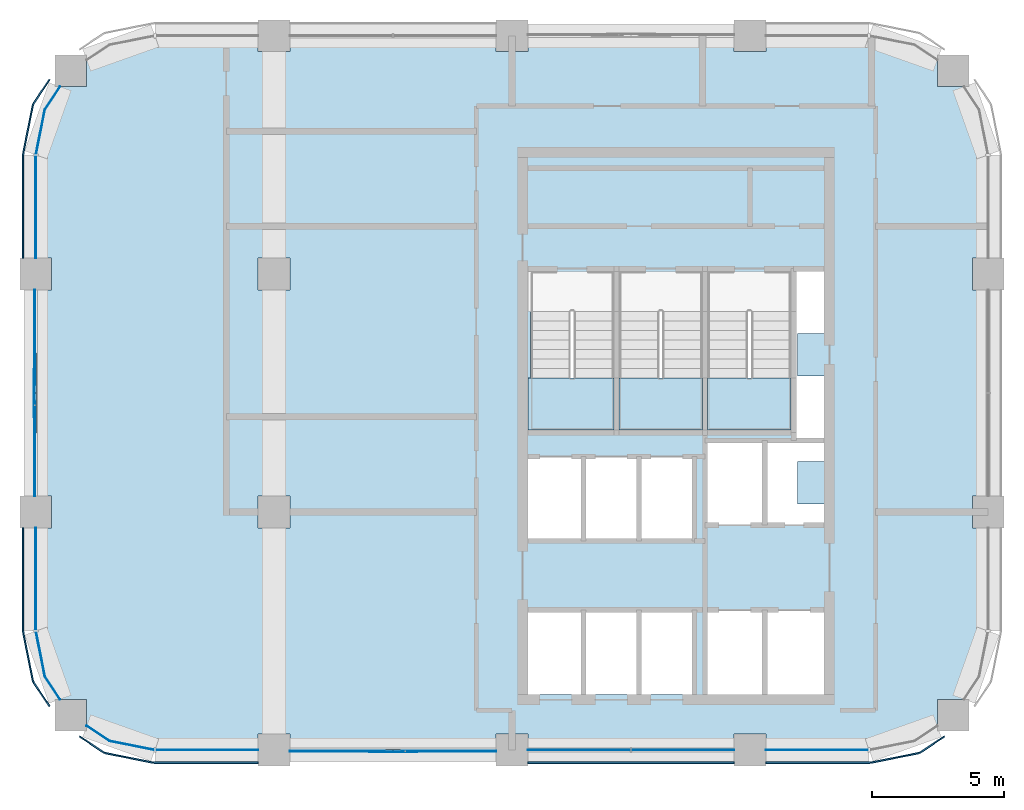
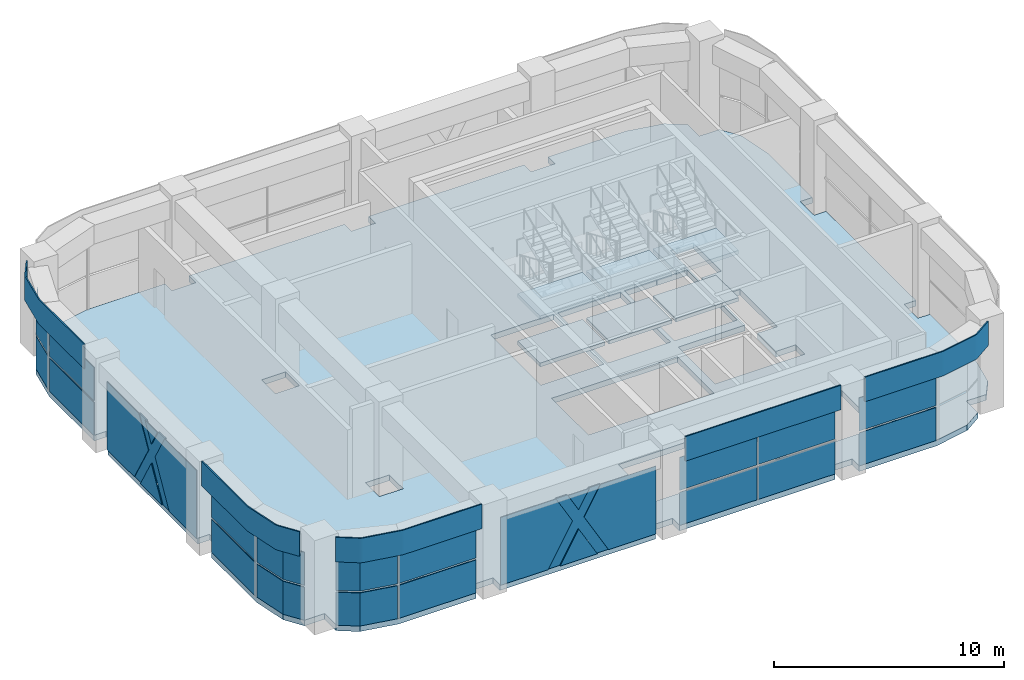
# One storey, part 6 of 15: 33 plates, 7 slabs, 10 elements without a shape of their own.
"""IFC4 building model written with IfcOpenShell, lengths in metres."""

import ifcopenshell
import ifcopenshell.guid

model = None  # the IFC model being written
_history = None  # IfcOwnerHistory: only IFC2X3 demands one
_inside = {}  # id of a spatial element -> (the spatial element, [elements in it])
_under = {}  # id of a project, library or spatial element -> (it, [spatial elements below it])
_declared = {}  # id of a project -> (the project, [libraries it declares])
_typed = {}  # id of a type object -> (the type object, [elements of that type])
_made_of = {}  # id of a material, layer set ... -> (it, [elements and type objects made of it])


def new_model(schema):
    """Start an empty IFC model of exactly this schema.

    Asked for "IFC4X3", IfcOpenShell would pick the latest addendum, in which some entities
    have other attributes; the version numbers below select the first issue.
    IFC2X3 requires an IfcOwnerHistory on every rooted entity: one is made here for all.
    """
    global model, _history
    if schema == "IFC4X3":
        model = ifcopenshell.file(schema_version=(4, 3, 0, 0))
    else:
        model = ifcopenshell.file(schema=schema)
    _inside.clear()
    _under.clear()
    _declared.clear()
    _typed.clear()
    _made_of.clear()
    _history = None
    if model.schema == "IFC2X3":
        org = make("IfcOrganization", Name="unknown")
        user = make(
            "IfcPersonAndOrganization",
            ThePerson=make("IfcPerson", FamilyName="unknown"),
            TheOrganization=org,
        )
        app = make(
            "IfcApplication",
            ApplicationDeveloper=org,
            Version="unknown",
            ApplicationFullName="unknown",
            ApplicationIdentifier="unknown",
        )
        _history = make(
            "IfcOwnerHistory",
            OwningUser=user,
            OwningApplication=app,
            ChangeAction="ADDED",
            CreationDate=0,
        )
    return model


def make(cls, **values):
    """One entity of the class cls with the attributes given. An attribute that is None is left unset."""
    return model.create_entity(
        cls, **{name: value for name, value in values.items() if value is not None}
    )


def rooted(cls, **values):
    """An entity with a GlobalId (a new one), such as an element, a storey or a relation."""
    return make(cls, GlobalId=ifcopenshell.guid.new(), OwnerHistory=_history, **values)


def si_unit(unit_type, name, prefix=None):
    """IfcSIUnit, for example si_unit("LENGTHUNIT", "METRE", prefix="MILLI")."""
    return make("IfcSIUnit", UnitType=unit_type, Prefix=prefix, Name=name)


def assignment(units):
    """IfcUnitAssignment: the units of a project."""
    return None if units is None else make("IfcUnitAssignment", Units=units)


def point(xyz):
    """IfcCartesianPoint."""
    return None if xyz is None else make("IfcCartesianPoint", Coordinates=xyz)


def direction(xyz):
    """IfcDirection."""
    return None if xyz is None else make("IfcDirection", DirectionRatios=xyz)


def frame(location, z_axis=None, x_axis=None):
    """IfcAxis2Placement3D, a coordinate frame: its origin and axes. An axis left out is left unset."""
    return make(
        "IfcAxis2Placement3D",
        Location=point(location),
        Axis=direction(z_axis),
        RefDirection=direction(x_axis),
    )


def frame_2d(location, x_axis=None):
    """IfcAxis2Placement2D, a coordinate frame in the plane: its origin and x axis."""
    return make(
        "IfcAxis2Placement2D", Location=point(location), RefDirection=direction(x_axis)
    )


def origin():
    """The frame at (0, 0, 0) with its axes left unset."""
    return frame((0.0, 0.0, 0.0))


def origin_2d():
    """The frame at (0, 0) in the plane with its x axis left unset."""
    return frame_2d((0.0, 0.0))


def place(relative_to, where):
    """IfcLocalPlacement: puts the frame where relative to a parent placement (None: the world)."""
    return make(
        "IfcLocalPlacement", PlacementRelTo=relative_to, RelativePlacement=where
    )


def context(
    kind, dimensions, precision=None, world=None, true_north=None, identifier=None
):
    """IfcGeometricRepresentationContext, for example the 3D "Model" context."""
    return make(
        "IfcGeometricRepresentationContext",
        ContextIdentifier=identifier,
        ContextType=kind,
        CoordinateSpaceDimension=dimensions,
        Precision=precision,
        WorldCoordinateSystem=world,
        TrueNorth=true_north,
    )


def subcontext(parent, identifier, kind, view, scale=None):
    """IfcGeometricRepresentationSubContext, for example "Body" below "Model"."""
    return make(
        "IfcGeometricRepresentationSubContext",
        ContextIdentifier=identifier,
        ContextType=kind,
        ParentContext=parent,
        TargetScale=scale,
        TargetView=view,
    )


def project(units=None, contexts=None):
    """IfcProject with its units and contexts."""
    return rooted(
        "IfcProject",
        Name="project",
        RepresentationContexts=contexts,
        UnitsInContext=assignment(units),
    )


def spatial(cls, under=None, at=None, **own):
    """A site, building, storey or space (cls), placed at a placement, below another one or the project."""
    s = rooted(cls, ObjectPlacement=at, **own)
    if under is not None:
        _under.setdefault(under.id(), (under, []))[1].append(s)
    return s


def polyline(points):
    """IfcPolyline through the points."""
    return make("IfcPolyline", Points=[point(p) for p in points])


def profile(cls, at=None, kind="AREA", **sizes):
    """A parametric profile (cls). Its sizes go by their IFC names, for example OverallWidth=200.0."""
    return make(cls, ProfileType=kind, Position=at, **sizes)


def rectangle(**sizes):
    """IfcRectangleProfileDef."""
    return profile("IfcRectangleProfileDef", **sizes)


def outline(outer, holes=None, kind="AREA"):
    """IfcArbitraryClosedProfileDef: a profile drawn as a closed curve; with holes, ...WithVoids."""
    if holes is None:
        return make("IfcArbitraryClosedProfileDef", ProfileType=kind, OuterCurve=outer)
    return make(
        "IfcArbitraryProfileDefWithVoids",
        ProfileType=kind,
        OuterCurve=outer,
        InnerCurves=holes,
    )


def extrude(swept, where, along, depth):
    """IfcExtrudedAreaSolid: the profile swept, set in the frame where, extruded along a direction by depth."""
    return make(
        "IfcExtrudedAreaSolid",
        SweptArea=swept,
        Position=where,
        ExtrudedDirection=direction(along),
        Depth=depth,
    )


def shape(context_of_items, identifier, shape_type, items):
    """IfcShapeRepresentation: the items that make up one representation, for example the "Body"."""
    return make(
        "IfcShapeRepresentation",
        ContextOfItems=context_of_items,
        RepresentationIdentifier=identifier,
        RepresentationType=shape_type,
        Items=items,
    )


def material(Name=None, Category=None):
    """IfcMaterial."""
    return make("IfcMaterial", Name=Name, Category=Category)


def layer(
    of_material, thickness, ventilated=None, Name=None, Category=None, Priority=None
):
    """IfcMaterialLayer: one layer of a wall or slab, of a material (None: an air gap)."""
    return make(
        "IfcMaterialLayer",
        Material=of_material,
        LayerThickness=thickness,
        IsVentilated=ventilated,
        Name=Name,
        Category=Category,
        Priority=Priority,
    )


def layer_set(layers, Name=None):
    """IfcMaterialLayerSet."""
    return make("IfcMaterialLayerSet", MaterialLayers=layers, LayerSetName=Name)


def made_of(thing, what):
    """Note that an element or type object is made of a material, layer set ...; save() writes the relation."""
    if what is not None:
        _made_of.setdefault(what.id(), (what, []))[1].append(thing)
    return thing


def type_object(cls, material=None, **own):
    """A type object (cls), such as IfcWallType, which elements share."""
    return made_of(rooted(cls, **own), material)


def element(
    cls,
    number,
    at=None,
    inside=None,
    cuts=None,
    type_object=None,
    material=None,
    context=None,
    identifier="Body",
    shape_type=None,
    held_by="IfcProductDefinitionShape",
    body=None,
    shapes=None,
    **own,
):
    """One element of the class cls, such as IfcWall. Its Tag is "e" and its number.

    at: its placement. inside: the storey or other place that contains it. cuts: it is an
    opening in that element (IfcRelVoidsElement). A single representation is given by context,
    identifier, shape_type and body (its items); several are given by shapes. held_by: the class
    of the entity that holds the representations. save() writes the other relations.
    """
    e = rooted(cls, Tag="e%d" % number, ObjectPlacement=at, **own)
    if body is not None:
        shapes = [shape(context, identifier, shape_type, body)]
    if shapes is not None:
        e.Representation = make(held_by, Representations=shapes)
    if inside is not None:
        _inside.setdefault(inside.id(), (inside, []))[1].append(e)
    if cuts is not None:
        rooted(
            "IfcRelVoidsElement", RelatingBuildingElement=cuts, RelatedOpeningElement=e
        )
    if type_object is not None:
        _typed.setdefault(type_object.id(), (type_object, []))[1].append(e)
    return made_of(e, material)


def aggregate(whole, parts):
    """IfcRelAggregates: a whole, such as a stair, and the parts it consists of."""
    return rooted("IfcRelAggregates", RelatingObject=whole, RelatedObjects=parts)


def save(model, path):
    """Write the relations noted so far, then the file.

    IfcRelAggregates (storeys below a building ...), IfcRelContainedInSpatialStructure (elements
    in a storey), IfcRelDefinesByType, IfcRelAssociatesMaterial and IfcRelDeclares: one each for
    every whole, place, type object, material and project.
    """
    for whole, parts in _under.values():
        aggregate(whole, parts)
    for where, things in _inside.values():
        rooted(
            "IfcRelContainedInSpatialStructure",
            RelatedElements=things,
            RelatingStructure=where,
        )
    for kind, things in _typed.values():
        rooted("IfcRelDefinesByType", RelatedObjects=things, RelatingType=kind)
    for what, things in _made_of.values():
        rooted("IfcRelAssociatesMaterial", RelatedObjects=things, RelatingMaterial=what)
    for by, libraries in _declared.values():
        rooted("IfcRelDeclares", RelatingContext=by, RelatedDefinitions=libraries)
    model.write(path)


model = new_model("IFC4")

# Units and contexts
model_context = context("Model", 3, precision=1e-05, world=origin(), true_north=direction((0.0, 1.0)))
body_context = subcontext(model_context, "Body", "Model", "MODEL_VIEW")
ifc_project = project(units=[si_unit("LENGTHUNIT", "METRE"), si_unit("AREAUNIT", "SQUARE_METRE"), si_unit("VOLUMEUNIT", "CUBIC_METRE"), si_unit("PLANEANGLEUNIT", "RADIAN"), si_unit("MASSUNIT", "GRAM", prefix="KILO")], contexts=[model_context])

# Site, building, storey
site_placement = place(None, origin())
site = spatial("IfcSite", under=ifc_project, at=site_placement, CompositionType="ELEMENT")
building_placement = place(site_placement, origin())
building = spatial("IfcBuilding", under=site, at=building_placement, Name="Tessera Arch", CompositionType="ELEMENT")
storey_placement = place(building_placement, frame((0.0, 0.0, 285.199951171875)))
storey = spatial("IfcBuildingStorey", under=building, at=storey_placement, Name="L69", CompositionType="ELEMENT", Elevation=285.199951171875)

# Curtain wall, plates
ifc_material_1 = material(Name="CW1 curtain wall")
curtain_wall_type_1 = type_object("IfcCurtainWallType", Name="CW1 curtain wall", PredefinedType="NOTDEFINED", material=ifc_material_1)
curtain_wall_1_placement = place(storey_placement, origin())
curtain_wall_1 = element("IfcCurtainWall", 1, at=curtain_wall_1_placement, inside=storey, type_object=curtain_wall_type_1, Name="CW1 curtain wall S27.18/2 L69", PredefinedType="NOTDEFINED")
ifc_material_2 = material(Name="Clear low-e glass", Category="glass")
ifc_material_3 = material(Name="Clear low-e glass", Category="glass")
ifc_layer_1 = layer(ifc_material_3, 0.028076171875)
ifc_layer_set_1 = layer_set([ifc_layer_1], Name="CW1 glass panel")
plate_type_1 = type_object("IfcPlateType", Name="CW1 glass panel", PredefinedType="CURTAIN_PANEL", material=ifc_layer_set_1)
plate_1_placement = place(storey_placement, frame((38.534912109375, 27.0, 0.0), z_axis=(0.0, 0.0, 1.0), x_axis=(1.0, 0.0, 0.0)))
plate_1 = element("IfcPlate", 2, at=plate_1_placement, type_object=plate_type_1, material=ifc_material_2, Name="CW1 glass panel S27.18/2 1.1.1", PredefinedType="CURTAIN_PANEL", context=body_context, shape_type="SweptSolid", body=[
    extrude(rectangle(XDim=3.8701171875, YDim=0.028076171875, at=origin_2d()), origin(), (0.0, 0.0, 1.0), 1.75),
])
plate_2_placement = place(storey_placement, frame((38.534912109375, 27.0, 1.85009765625), z_axis=(0.0, 0.0, 1.0), x_axis=(1.0, 0.0, 0.0)))
plate_2 = element("IfcPlate", 3, at=plate_2_placement, type_object=plate_type_1, material=ifc_material_2, Name="CW1 glass panel S27.18/2 1.1.2", PredefinedType="CURTAIN_PANEL", context=body_context, shape_type="SweptSolid", body=[
    extrude(rectangle(XDim=3.8701171875, YDim=0.028076171875, at=origin_2d()), origin(), (0.0, 0.0, 1.0), 1.75),
])
plate_3_placement = place(storey_placement, frame((42.465087890625, 27.0, 0.0), z_axis=(0.0, 0.0, 1.0), x_axis=(1.0, 0.0, 0.0)))
plate_3 = element("IfcPlate", 4, at=plate_3_placement, type_object=plate_type_1, material=ifc_material_2, Name="CW1 glass panel S27.18/2 1.2.1", PredefinedType="CURTAIN_PANEL", context=body_context, shape_type="SweptSolid", body=[
    extrude(rectangle(XDim=3.8701171875, YDim=0.028076171875, at=origin_2d()), origin(), (0.0, 0.0, 1.0), 1.75),
])
plate_4_placement = place(storey_placement, frame((42.465087890625, 27.0, 1.85009765625), z_axis=(0.0, 0.0, 1.0), x_axis=(1.0, 0.0, 0.0)))
plate_4 = element("IfcPlate", 5, at=plate_4_placement, type_object=plate_type_1, material=ifc_material_2, Name="CW1 glass panel S27.18/2 1.2.2", PredefinedType="CURTAIN_PANEL", context=body_context, shape_type="SweptSolid", body=[
    extrude(rectangle(XDim=3.8701171875, YDim=0.028076171875, at=origin_2d()), origin(), (0.0, 0.0, 1.0), 1.75),
])
ifc_material_4 = material(Name="Pale anodised aluminium panel", Category="aluminium")
ifc_layer_2 = layer(ifc_material_4, 0.06005859375)
ifc_layer_set_2 = layer_set([ifc_layer_2], Name="CW1 spandrel panel")
plate_type_2 = type_object("IfcPlateType", Name="CW1 spandrel panel", PredefinedType="CURTAIN_PANEL", material=ifc_layer_set_2)
plate_5_placement = place(storey_placement, frame((40.5, 26.52001953125, 3.7001953125), z_axis=(0.0, 0.0, 1.0), x_axis=(1.0, 0.0, 0.0)))
plate_5 = element("IfcPlate", 6, at=plate_5_placement, type_object=plate_type_2, Name="CW1 spandrel panel S27.18/2", PredefinedType="CURTAIN_PANEL", context=body_context, shape_type="SweptSolid", body=[
    extrude(rectangle(XDim=7.800048828125, YDim=0.06005859375, at=origin_2d()), origin(), (0.0, 0.0, 1.0), 1.300048828125),
])
aggregate(curtain_wall_1, [plate_1, plate_2, plate_3, plate_4, plate_5])

ifc_material_5 = material(Name="CW2 curtain wall")
curtain_wall_type_2 = type_object("IfcCurtainWallType", Name="CW2 curtain wall", PredefinedType="NOTDEFINED", material=ifc_material_5)
curtain_wall_2_placement = place(storey_placement, origin())
curtain_wall_2 = element("IfcCurtainWall", 7, at=curtain_wall_2_placement, inside=storey, type_object=curtain_wall_type_2, Name="CW2 curtain wall W18.27/0 L69", PredefinedType="NOTDEFINED")
ifc_material_6 = material(Name="Clear low-e glass", Category="glass")
ifc_layer_3 = layer(ifc_material_6, 0.028076171875)
ifc_layer_set_3 = layer_set([ifc_layer_3], Name="CW2 glass panel")
plate_type_3 = type_object("IfcPlateType", Name="CW2 glass panel", PredefinedType="CURTAIN_PANEL", material=ifc_layer_set_3)
plate_6_placement = place(storey_placement, frame((18.0, 47.530029296875, 0.0), z_axis=(0.0, 0.0, 1.0), x_axis=(0.0, -1.0, 0.0)))
plate_6 = element("IfcPlate", 8, at=plate_6_placement, type_object=plate_type_3, material=ifc_material_2, Name="CW2 glass panel W18.27/0 1.1", PredefinedType="CURTAIN_PANEL", context=body_context, shape_type="SweptSolid", body=[
    extrude(rectangle(XDim=3.860107421875, YDim=0.028076171875, at=origin_2d()), origin(), (0.0, 0.0, 1.0), 1.75),
])
plate_7_placement = place(storey_placement, origin())
plate_7 = element("IfcPlate", 9, at=plate_7_placement, type_object=plate_type_3, material=ifc_material_2, Name="CW2 curved glass panel W18.27/0 2.1", PredefinedType="CURTAIN_PANEL", context=body_context, shape_type="SweptSolid", body=[
    extrude(outline(polyline([(18.355712890625, 51.216552734375), (18.9287109375, 52.07421875), (18.905517578125, 52.08984375), (18.329345703125, 51.2275390625), (17.994140625, 49.5419921875), (18.021484375, 49.53662109375), (18.355712890625, 51.216552734375)])), origin(), (0.0, 0.0, 1.0), 1.75),
])
plate_8_placement = place(storey_placement, frame((18.0, 47.530029296875, 1.85009765625), z_axis=(0.0, 0.0, 1.0), x_axis=(0.0, -1.0, 0.0)))
plate_8 = element("IfcPlate", 10, at=plate_8_placement, type_object=plate_type_3, material=ifc_material_2, Name="CW2 glass panel W18.27/0 1.2", PredefinedType="CURTAIN_PANEL", context=body_context, shape_type="SweptSolid", body=[
    extrude(rectangle(XDim=3.860107421875, YDim=0.028076171875, at=origin_2d()), origin(), (0.0, 0.0, 1.0), 1.75),
])
plate_9_placement = place(storey_placement, frame((0.0, 0.0, 1.85009765625)))
plate_9 = element("IfcPlate", 11, at=plate_9_placement, type_object=plate_type_3, material=ifc_material_2, Name="CW2 curved glass panel W18.27/0 2.2", PredefinedType="CURTAIN_PANEL", context=body_context, shape_type="SweptSolid", body=[
    extrude(outline(polyline([(18.355712890625, 51.216552734375), (18.9287109375, 52.07421875), (18.905517578125, 52.08984375), (18.329345703125, 51.2275390625), (17.994140625, 49.5419921875), (18.021484375, 49.53662109375), (18.355712890625, 51.216552734375)])), origin(), (0.0, 0.0, 1.0), 1.75),
])

curtain_wall_3_placement = place(storey_placement, origin())
curtain_wall_3 = element("IfcCurtainWall", 12, at=curtain_wall_3_placement, inside=storey, type_object=curtain_wall_type_2, Name="CW2 curtain wall W18.27/2 L69", PredefinedType="NOTDEFINED")
plate_10_placement = place(storey_placement, frame((18.0, 33.469970703125, 0.0), z_axis=(0.0, 0.0, 1.0), x_axis=(0.0, -1.0, 0.0)))
plate_10 = element("IfcPlate", 13, at=plate_10_placement, type_object=plate_type_3, material=ifc_material_2, Name="CW2 glass panel W18.27/2 1.1", PredefinedType="CURTAIN_PANEL", context=body_context, shape_type="SweptSolid", body=[
    extrude(rectangle(XDim=3.860107421875, YDim=0.028076171875, at=origin_2d()), origin(), (0.0, 0.0, 1.0), 1.75),
])
plate_11_placement = place(storey_placement, origin())
plate_11 = element("IfcPlate", 14, at=plate_11_placement, type_object=plate_type_3, material=ifc_material_2, Name="CW2 curved glass panel W18.27/2 2.1", PredefinedType="CURTAIN_PANEL", context=body_context, shape_type="SweptSolid", body=[
    extrude(outline(polyline([(18.355712890625, 29.783447265625), (18.021484375, 31.46337890625), (17.994140625, 31.4580078125), (18.329345703125, 29.7724609375), (18.905517578125, 28.91015625), (18.9287109375, 28.92578125), (18.355712890625, 29.783447265625)])), origin(), (0.0, 0.0, 1.0), 1.75),
])
plate_12_placement = place(storey_placement, frame((18.0, 33.469970703125, 1.85009765625), z_axis=(0.0, 0.0, 1.0), x_axis=(0.0, -1.0, 0.0)))
plate_12 = element("IfcPlate", 15, at=plate_12_placement, type_object=plate_type_3, material=ifc_material_2, Name="CW2 glass panel W18.27/2 1.2", PredefinedType="CURTAIN_PANEL", context=body_context, shape_type="SweptSolid", body=[
    extrude(rectangle(XDim=3.860107421875, YDim=0.028076171875, at=origin_2d()), origin(), (0.0, 0.0, 1.0), 1.75),
])
plate_13_placement = place(storey_placement, frame((0.0, 0.0, 1.85009765625)))
plate_13 = element("IfcPlate", 16, at=plate_13_placement, type_object=plate_type_3, material=ifc_material_2, Name="CW2 curved glass panel W18.27/2 2.2", PredefinedType="CURTAIN_PANEL", context=body_context, shape_type="SweptSolid", body=[
    extrude(outline(polyline([(18.355712890625, 29.783447265625), (18.021484375, 31.46337890625), (17.994140625, 31.4580078125), (18.329345703125, 29.7724609375), (18.905517578125, 28.91015625), (18.9287109375, 28.92578125), (18.355712890625, 29.783447265625)])), origin(), (0.0, 0.0, 1.0), 1.75),
])

curtain_wall_4_placement = place(storey_placement, origin())
curtain_wall_4 = element("IfcCurtainWall", 17, at=curtain_wall_4_placement, inside=storey, type_object=curtain_wall_type_2, Name="CW2 curtain wall S27.18/0 L69", PredefinedType="NOTDEFINED")
plate_14_placement = place(storey_placement, frame((24.469970703125, 27.0, 0.0), z_axis=(0.0, 0.0, 1.0), x_axis=(1.0, 0.0, 0.0)))
plate_14 = element("IfcPlate", 18, at=plate_14_placement, type_object=plate_type_3, material=ifc_material_2, Name="CW2 glass panel S27.18/0 1.1", PredefinedType="CURTAIN_PANEL", context=body_context, shape_type="SweptSolid", body=[
    extrude(rectangle(XDim=3.860107421875, YDim=0.028076171875, at=origin_2d()), origin(), (0.0, 0.0, 1.0), 1.75),
])
plate_15_placement = place(storey_placement, origin())
plate_15 = element("IfcPlate", 19, at=plate_15_placement, type_object=plate_type_3, material=ifc_material_2, Name="CW2 curved glass panel S27.18/0 2.1", PredefinedType="CURTAIN_PANEL", context=body_context, shape_type="SweptSolid", body=[
    extrude(outline(polyline([(20.783447265625, 27.355712890625), (19.92578125, 27.9287109375), (19.91015625, 27.905517578125), (20.7724609375, 27.329345703125), (22.4580078125, 26.994140625), (22.46337890625, 27.021484375), (20.783447265625, 27.355712890625)])), origin(), (0.0, 0.0, 1.0), 1.75),
])
plate_16_placement = place(storey_placement, frame((24.469970703125, 27.0, 1.85009765625), z_axis=(0.0, 0.0, 1.0), x_axis=(1.0, 0.0, 0.0)))
plate_16 = element("IfcPlate", 20, at=plate_16_placement, type_object=plate_type_3, material=ifc_material_2, Name="CW2 glass panel S27.18/0 1.2", PredefinedType="CURTAIN_PANEL", context=body_context, shape_type="SweptSolid", body=[
    extrude(rectangle(XDim=3.860107421875, YDim=0.028076171875, at=origin_2d()), origin(), (0.0, 0.0, 1.0), 1.75),
])
plate_17_placement = place(storey_placement, frame((0.0, 0.0, 1.85009765625)))
plate_17 = element("IfcPlate", 21, at=plate_17_placement, type_object=plate_type_3, material=ifc_material_2, Name="CW2 curved glass panel S27.18/0 2.2", PredefinedType="CURTAIN_PANEL", context=body_context, shape_type="SweptSolid", body=[
    extrude(outline(polyline([(20.783447265625, 27.355712890625), (19.92578125, 27.9287109375), (19.91015625, 27.905517578125), (20.7724609375, 27.329345703125), (22.4580078125, 26.994140625), (22.46337890625, 27.021484375), (20.783447265625, 27.355712890625)])), origin(), (0.0, 0.0, 1.0), 1.75),
])

curtain_wall_5_placement = place(storey_placement, origin())
curtain_wall_5 = element("IfcCurtainWall", 22, at=curtain_wall_5_placement, inside=storey, type_object=curtain_wall_type_2, Name="CW2 curtain wall S27.18/3 L69", PredefinedType="NOTDEFINED")
plate_18_placement = place(storey_placement, frame((47.530029296875, 27.0, 0.0), z_axis=(0.0, 0.0, 1.0), x_axis=(1.0, 0.0, 0.0)))
plate_18 = element("IfcPlate", 23, at=plate_18_placement, type_object=plate_type_3, material=ifc_material_2, Name="CW2 glass panel S27.18/3 1.1", PredefinedType="CURTAIN_PANEL", context=body_context, shape_type="SweptSolid", body=[
    extrude(rectangle(XDim=3.860107421875, YDim=0.028076171875, at=origin_2d()), origin(), (0.0, 0.0, 1.0), 1.75),
])
plate_19_placement = place(storey_placement, frame((47.530029296875, 27.0, 1.85009765625), z_axis=(0.0, 0.0, 1.0), x_axis=(1.0, 0.0, 0.0)))
plate_19 = element("IfcPlate", 24, at=plate_19_placement, type_object=plate_type_3, material=ifc_material_2, Name="CW2 glass panel S27.18/3 1.2", PredefinedType="CURTAIN_PANEL", context=body_context, shape_type="SweptSolid", body=[
    extrude(rectangle(XDim=3.860107421875, YDim=0.028076171875, at=origin_2d()), origin(), (0.0, 0.0, 1.0), 1.75),
])

# Plate
ifc_material_7 = material(Name="Pale anodised aluminium panel", Category="aluminium")
ifc_layer_4 = layer(ifc_material_7, 0.06005859375)
ifc_layer_set_4 = layer_set([ifc_layer_4], Name="CW2 spandrel panel")
plate_type_4 = type_object("IfcPlateType", Name="CW2 spandrel panel", PredefinedType="CURTAIN_PANEL", material=ifc_layer_set_4)
plate_20_placement = place(storey_placement, frame((0.0, 0.0, 3.699951171875)))
plate_20 = element("IfcPlate", 25, at=plate_20_placement, type_object=plate_type_4, Name="CW2 spandrel panel W18.27/0", PredefinedType="CURTAIN_PANEL", context=body_context, shape_type="SweptSolid", body=[
    extrude(outline(polyline([(17.96875, 51.47265625), (18.54296875, 52.33203125), (18.4931640625, 52.365234375), (17.91796875, 51.5048828125), (17.892578125, 51.462646484375), (17.871337890625, 51.417236328125), (17.8544921875, 51.3701171875), (17.842529296875, 51.322265625), (17.499755859375, 49.598876953125), (17.492431640625, 49.550048828125), (17.489990234375, 49.500732421875), (17.489990234375, 45.60009765625), (17.550048828125, 45.60009765625), (17.550048828125, 49.499267578125), (17.55224609375, 49.544189453125), (17.558837890625, 49.588623046875), (17.90087890625, 51.30908203125), (17.911865234375, 51.352783203125), (17.9267578125, 51.394287109375), (17.945556640625, 51.434326171875), (17.96875, 51.47265625)])), origin(), (0.0, 0.0, 1.0), 1.300048828125),
])

aggregate(curtain_wall_2, [plate_6, plate_7, plate_8, plate_9, plate_20])

plate_21_placement = place(storey_placement, frame((0.0, 0.0, 3.699951171875)))
plate_21 = element("IfcPlate", 26, at=plate_21_placement, type_object=plate_type_4, Name="CW2 spandrel panel W18.27/2", PredefinedType="CURTAIN_PANEL", context=body_context, shape_type="SweptSolid", body=[
    extrude(outline(polyline([(17.550048828125, 31.500732421875), (17.550048828125, 35.39990234375), (17.489990234375, 35.39990234375), (17.489990234375, 31.499267578125), (17.492431640625, 31.449951171875), (17.499755859375, 31.401123046875), (17.842529296875, 29.677734375), (17.8544921875, 29.6298828125), (17.871337890625, 29.582763671875), (17.892578125, 29.537353515625), (17.91796875, 29.4951171875), (18.4931640625, 28.634765625), (18.54296875, 28.66796875), (17.96875, 29.52734375), (17.945556640625, 29.565673828125), (17.9267578125, 29.605712890625), (17.911865234375, 29.647216796875), (17.90087890625, 29.69091796875), (17.558837890625, 31.411376953125), (17.55224609375, 31.455810546875), (17.550048828125, 31.500732421875)])), origin(), (0.0, 0.0, 1.0), 1.300048828125),
])

aggregate(curtain_wall_3, [plate_10, plate_11, plate_12, plate_13, plate_21])

plate_22_placement = place(storey_placement, frame((0.0, 0.0, 3.699951171875)))
plate_22 = element("IfcPlate", 27, at=plate_22_placement, type_object=plate_type_4, Name="CW2 spandrel panel S27.18/0", PredefinedType="CURTAIN_PANEL", context=body_context, shape_type="SweptSolid", body=[
    extrude(outline(polyline([(20.52734375, 26.96875), (19.66796875, 27.54296875), (19.634765625, 27.4931640625), (20.4951171875, 26.91796875), (20.537353515625, 26.892578125), (20.582763671875, 26.871337890625), (20.6298828125, 26.8544921875), (20.677734375, 26.842529296875), (22.401123046875, 26.499755859375), (22.449951171875, 26.492431640625), (22.499267578125, 26.489990234375), (26.39990234375, 26.489990234375), (26.39990234375, 26.550048828125), (22.500732421875, 26.550048828125), (22.455810546875, 26.55224609375), (22.411376953125, 26.558837890625), (20.69091796875, 26.90087890625), (20.647216796875, 26.911865234375), (20.605712890625, 26.9267578125), (20.565673828125, 26.945556640625), (20.52734375, 26.96875)])), origin(), (0.0, 0.0, 1.0), 1.300048828125),
])

aggregate(curtain_wall_4, [plate_14, plate_15, plate_16, plate_17, plate_22])

plate_23_placement = place(storey_placement, frame((0.0, 0.0, 3.699951171875)))
plate_23 = element("IfcPlate", 28, at=plate_23_placement, type_object=plate_type_4, Name="CW2 spandrel panel S27.18/3", PredefinedType="CURTAIN_PANEL", context=body_context, shape_type="SweptSolid", body=[
    extrude(outline(polyline([(49.499267578125, 26.550048828125), (45.60009765625, 26.550048828125), (45.60009765625, 26.489990234375), (49.500732421875, 26.489990234375), (49.550048828125, 26.492431640625), (49.598876953125, 26.499755859375), (51.322265625, 26.842529296875), (51.3701171875, 26.8544921875), (51.417236328125, 26.871337890625), (51.462646484375, 26.892578125), (51.5048828125, 26.91796875), (52.365234375, 27.4931640625), (52.33203125, 27.54296875), (51.47265625, 26.96875), (51.434326171875, 26.945556640625), (51.394287109375, 26.9267578125), (51.352783203125, 26.911865234375), (51.30908203125, 26.90087890625), (49.588623046875, 26.558837890625), (49.544189453125, 26.55224609375), (49.499267578125, 26.550048828125)])), origin(), (0.0, 0.0, 1.0), 1.300048828125),
])

aggregate(curtain_wall_5, [plate_18, plate_19, plate_23])

# Curtain wall, plate
ifc_material_8 = material(Name="CW3 curtain wall")
curtain_wall_type_3 = type_object("IfcCurtainWallType", Name="CW3 curtain wall", PredefinedType="NOTDEFINED", material=ifc_material_8)
curtain_wall_6_placement = place(storey_placement, origin())
curtain_wall_6 = element("IfcCurtainWall", 29, at=curtain_wall_6_placement, inside=storey, type_object=curtain_wall_type_3, Name="CW3 curtain wall W18.27/1 L69", PredefinedType="NOTDEFINED")
ifc_material_9 = material(Name="Pale anodised aluminium panel", Category="aluminium")
ifc_layer_5 = layer(ifc_material_9, 0.06005859375)
ifc_layer_set_5 = layer_set([ifc_layer_5], Name="CW3 diagonal panel")
plate_type_5 = type_object("IfcPlateType", Name="CW3 diagonal panel", PredefinedType="CURTAIN_PANEL", material=ifc_layer_set_5)
plate_24_placement = place(storey_placement, frame((17.969970703125, 39.384033203125, 3.60009765625), z_axis=(-1.0, 0.0, 0.0), x_axis=(0.0, 1.0, 0.0)))
plate_24 = element("IfcPlate", 30, at=plate_24_placement, type_object=plate_type_5, Name="CW3 diagonal panel W18.27/1 1", PredefinedType="CURTAIN_PANEL", context=body_context, shape_type="SweptSolid", body=[
    extrude(outline(polyline([(0.0, 0.0), (0.5810546875, 0.0), (1.115966796875, 0.939697265625), (1.65087890625, 0.0), (2.23193359375, 0.0), (1.406494140625, 1.449951171875), (2.630615234375, 3.60009765625), (2.049560546875, 3.60009765625), (1.115966796875, 1.96044921875), (0.182373046875, 3.60009765625), (-0.398681640625, 3.60009765625), (0.825439453125, 1.449951171875), (0.0, 0.0)])), origin(), (0.0, 0.0, -1.0), 0.06005859375),
])

curtain_wall_7_placement = place(storey_placement, origin())
curtain_wall_7 = element("IfcCurtainWall", 31, at=curtain_wall_7_placement, inside=storey, type_object=curtain_wall_type_3, Name="CW3 curtain wall S27.18/1 L69", PredefinedType="NOTDEFINED")
plate_25_placement = place(storey_placement, frame((32.615966796875, 26.969970703125, 3.60009765625), z_axis=(0.0, -1.0, 0.0), x_axis=(-1.0, 0.0, 0.0)))
plate_25 = element("IfcPlate", 32, at=plate_25_placement, type_object=plate_type_5, Name="CW3 diagonal panel S27.18/1 1", PredefinedType="CURTAIN_PANEL", context=body_context, shape_type="SweptSolid", body=[
    extrude(outline(polyline([(0.0, 0.0), (0.5810546875, 0.0), (1.115966796875, 0.939697265625), (1.65087890625, 0.0), (2.23193359375, 0.0), (1.406494140625, 1.449951171875), (2.630615234375, 3.60009765625), (2.049560546875, 3.60009765625), (1.115966796875, 1.96044921875), (0.182373046875, 3.60009765625), (-0.398681640625, 3.60009765625), (0.825439453125, 1.449951171875), (0.0, 0.0)])), origin(), (0.0, 0.0, -1.0), 0.06005859375),
])

# Plate
ifc_material_10 = material(Name="Clear low-e glass", Category="glass")
ifc_layer_6 = layer(ifc_material_10, 0.028076171875)
ifc_layer_set_6 = layer_set([ifc_layer_6], Name="CW3 glass panel")
plate_type_6 = type_object("IfcPlateType", Name="CW3 glass panel", PredefinedType="CURTAIN_PANEL", material=ifc_layer_set_6)
plate_26_placement = place(storey_placement, frame((17.94189453125, 44.39990234375, 0.0), z_axis=(-1.0, 0.0, 0.0), x_axis=(0.0, -1.0, 0.0)))
plate_26 = element("IfcPlate", 33, at=plate_26_placement, type_object=plate_type_6, material=ifc_material_2, Name="CW3 triangulated glass panel W18.27/1 1", PredefinedType="CURTAIN_PANEL", context=body_context, shape_type="SweptSolid", body=[
    extrude(outline(polyline([(0.0, 0.0), (2.38525390625, 0.0), (3.609375, 2.150146484375), (2.783935546875, 3.60009765625), (0.0, 3.60009765625), (0.0, 0.0)])), origin(), (0.0, 0.0, -1.0), 0.028076171875),
])

plate_27_placement = place(storey_placement, frame((17.9140625, 41.43359375, 0.0), z_axis=(-1.0, 0.0, 0.0), x_axis=(0.0, -1.0, 0.0)))
plate_27 = element("IfcPlate", 34, at=plate_27_placement, type_object=plate_type_6, material=ifc_material_2, Name="CW3 triangulated glass panel W18.27/1 2", PredefinedType="CURTAIN_PANEL", context=body_context, shape_type="SweptSolid", body=[
    extrude(outline(polyline([(0.0, 0.0), (1.8671875, 0.0), (0.93359375, 1.6396484375), (0.0, 0.0)])), origin(), (0.0, 0.0, -1.0), 0.028076171875),
])

plate_28_placement = place(storey_placement, frame((17.9140625, 39.965087890625, 3.60009765625), z_axis=(-1.0, 0.0, 0.0), x_axis=(0.0, 1.0, 0.0)))
plate_28 = element("IfcPlate", 35, at=plate_28_placement, type_object=plate_type_6, material=ifc_material_2, Name="CW3 triangulated glass panel W18.27/1 3", PredefinedType="CURTAIN_PANEL", context=body_context, shape_type="SweptSolid", body=[
    extrude(outline(polyline([(0.0, 0.0), (1.06982421875, 0.0), (0.534912109375, 0.939697265625), (0.0, 0.0)])), origin(), (0.0, 0.0, -1.0), 0.028076171875),
])

plate_29_placement = place(storey_placement, frame((17.94189453125, 36.60009765625, 3.60009765625), z_axis=(-1.0, 0.0, 0.0), x_axis=(0.0, 1.0, 0.0)))
plate_29 = element("IfcPlate", 36, at=plate_29_placement, type_object=plate_type_6, material=ifc_material_2, Name="CW3 triangulated glass panel W18.27/1 4", PredefinedType="CURTAIN_PANEL", context=body_context, shape_type="SweptSolid", body=[
    extrude(outline(polyline([(0.0, 0.0), (2.783935546875, 0.0), (3.609375, 1.449951171875), (2.38525390625, 3.60009765625), (0.0, 3.60009765625), (0.0, 0.0)])), origin(), (0.0, 0.0, -1.0), 0.028076171875),
])

aggregate(curtain_wall_6, [plate_26, plate_27, plate_28, plate_29, plate_24])

plate_30_placement = place(storey_placement, frame((27.60009765625, 26.94189453125, 0.0), z_axis=(0.0, -1.0, 0.0), x_axis=(1.0, 0.0, 0.0)))
plate_30 = element("IfcPlate", 37, at=plate_30_placement, type_object=plate_type_6, material=ifc_material_2, Name="CW3 triangulated glass panel S27.18/1 1", PredefinedType="CURTAIN_PANEL", context=body_context, shape_type="SweptSolid", body=[
    extrude(outline(polyline([(0.0, 0.0), (2.38525390625, 0.0), (3.609375, 2.150146484375), (2.783935546875, 3.60009765625), (0.0, 3.60009765625), (0.0, 0.0)])), origin(), (0.0, 0.0, -1.0), 0.028076171875),
])

plate_31_placement = place(storey_placement, frame((30.56640625, 26.9140625, 0.0), z_axis=(0.0, -1.0, 0.0), x_axis=(1.0, 0.0, 0.0)))
plate_31 = element("IfcPlate", 38, at=plate_31_placement, type_object=plate_type_6, material=ifc_material_2, Name="CW3 triangulated glass panel S27.18/1 2", PredefinedType="CURTAIN_PANEL", context=body_context, shape_type="SweptSolid", body=[
    extrude(outline(polyline([(0.0, 0.0), (1.8671875, 0.0), (0.93359375, 1.6396484375), (0.0, 0.0)])), origin(), (0.0, 0.0, -1.0), 0.028076171875),
])

plate_32_placement = place(storey_placement, frame((32.034912109375, 26.9140625, 3.60009765625), z_axis=(0.0, -1.0, 0.0), x_axis=(-1.0, 0.0, 0.0)))
plate_32 = element("IfcPlate", 39, at=plate_32_placement, type_object=plate_type_6, material=ifc_material_2, Name="CW3 triangulated glass panel S27.18/1 3", PredefinedType="CURTAIN_PANEL", context=body_context, shape_type="SweptSolid", body=[
    extrude(outline(polyline([(0.0, 0.0), (1.06982421875, 0.0), (0.534912109375, 0.939697265625), (0.0, 0.0)])), origin(), (0.0, 0.0, -1.0), 0.028076171875),
])

plate_33_placement = place(storey_placement, frame((35.39990234375, 26.94189453125, 3.60009765625), z_axis=(0.0, -1.0, 0.0), x_axis=(-1.0, 0.0, 0.0)))
plate_33 = element("IfcPlate", 40, at=plate_33_placement, type_object=plate_type_6, material=ifc_material_2, Name="CW3 triangulated glass panel S27.18/1 4", PredefinedType="CURTAIN_PANEL", context=body_context, shape_type="SweptSolid", body=[
    extrude(outline(polyline([(0.0, 0.0), (2.783935546875, 0.0), (3.609375, 1.449951171875), (2.38525390625, 3.60009765625), (0.0, 3.60009765625), (0.0, 0.0)])), origin(), (0.0, 0.0, -1.0), 0.028076171875),
])

aggregate(curtain_wall_7, [plate_30, plate_31, plate_32, plate_33, plate_25])

# Slab
ifc_material_11 = material(Name="Concrete C40/50", Category="concrete")
ifc_layer_7 = layer(ifc_material_11, 0.300048828125)
ifc_layer_set_7 = layer_set([ifc_layer_7], Name="Floor slab 300 Concrete C40/50")
slab_type_1 = type_object("IfcSlabType", Name="Floor slab 300 Concrete C40/50", PredefinedType="FLOOR", material=ifc_layer_set_7)
slab_1_placement = place(storey_placement, frame((0.0, 0.0, -0.300048828125)))
element("IfcSlab", 41, at=slab_1_placement, inside=storey, type_object=slab_type_1, Name="Floor slab L69 1", PredefinedType="FLOOR", context=body_context, shape_type="SweptSolid", body=[
    extrude(outline(polyline([(54.0, 31.5), (53.657470703125, 29.77783203125), (53.0830078125, 28.91796875), (52.08203125, 28.91796875), (52.08203125, 27.9169921875), (51.22216796875, 27.342529296875), (49.5, 27.0), (45.60009765625, 27.0), (45.60009765625, 27.60009765625), (44.39990234375, 27.60009765625), (44.39990234375, 27.0), (36.60009765625, 27.0), (36.60009765625, 27.60009765625), (35.39990234375, 27.60009765625), (35.39990234375, 27.0), (27.60009765625, 27.0), (27.60009765625, 27.60009765625), (26.39990234375, 27.60009765625), (26.39990234375, 27.0), (22.5, 27.0), (20.77783203125, 27.342529296875), (19.91796875, 27.9169921875), (19.91796875, 28.91796875), (18.9169921875, 28.91796875), (18.342529296875, 29.77783203125), (18.0, 31.5), (18.0, 35.39990234375), (18.60009765625, 35.39990234375), (18.60009765625, 36.60009765625), (18.0, 36.60009765625), (18.0, 44.39990234375), (18.60009765625, 44.39990234375), (18.60009765625, 45.60009765625), (18.0, 45.60009765625), (18.0, 49.5), (18.342529296875, 51.22216796875), (18.9169921875, 52.08203125), (19.91796875, 52.08203125), (19.91796875, 53.0830078125), (20.77783203125, 53.657470703125), (22.5, 54.0), (26.39990234375, 54.0), (26.39990234375, 53.39990234375), (27.60009765625, 53.39990234375), (27.60009765625, 54.0), (35.39990234375, 54.0), (35.39990234375, 53.39990234375), (36.60009765625, 53.39990234375), (36.60009765625, 54.0), (44.39990234375, 54.0), (44.39990234375, 53.39990234375), (45.60009765625, 53.39990234375), (45.60009765625, 54.0), (49.5, 54.0), (51.22216796875, 53.657470703125), (52.08203125, 53.0830078125), (52.08203125, 52.08203125), (53.0830078125, 52.08203125), (53.657470703125, 51.22216796875), (54.0, 49.5), (54.0, 45.60009765625), (53.39990234375, 45.60009765625), (53.39990234375, 44.39990234375), (54.0, 44.39990234375), (54.0, 36.60009765625), (53.39990234375, 36.60009765625), (53.39990234375, 35.39990234375), (54.0, 35.39990234375), (54.0, 31.5)]), holes=[polyline([(40.800048828125, 29.10009765625), (42.89990234375, 29.10009765625), (42.89990234375, 32.300048828125), (40.800048828125, 32.300048828125), (38.699951171875, 32.300048828125), (36.60009765625, 32.300048828125), (36.60009765625, 29.10009765625), (38.699951171875, 29.10009765625), (40.800048828125, 29.10009765625)]), polyline([(27.60009765625, 35.39990234375), (27.60009765625, 36.60009765625), (26.39990234375, 36.60009765625), (26.39990234375, 35.39990234375), (27.60009765625, 35.39990234375)]), polyline([(40.800048828125, 34.89990234375), (42.89990234375, 34.89990234375), (42.89990234375, 38.10009765625), (40.800048828125, 38.10009765625), (38.699951171875, 38.10009765625), (36.60009765625, 38.10009765625), (36.60009765625, 34.89990234375), (38.699951171875, 34.89990234375), (40.800048828125, 34.89990234375)]), polyline([(38.219970703125, 43.580078125), (38.219970703125, 43.570068359375), (36.699951171875, 43.570068359375), (36.699951171875, 39.199951171875), (39.85009765625, 39.199951171875), (39.85009765625, 43.570068359375), (38.330078125, 43.570068359375), (38.330078125, 43.580078125), (38.219970703125, 43.580078125)]), polyline([(27.60009765625, 44.39990234375), (27.60009765625, 45.60009765625), (26.39990234375, 45.60009765625), (26.39990234375, 44.39990234375), (27.60009765625, 44.39990234375)]), polyline([(47.800048828125, 32.300048828125), (45.550048828125, 32.300048828125), (43.300048828125, 32.300048828125), (43.300048828125, 29.10009765625), (45.550048828125, 29.10009765625), (47.800048828125, 29.10009765625), (47.800048828125, 32.300048828125)]), polyline([(46.64990234375, 38.699951171875), (45.550048828125, 38.699951171875), (43.300048828125, 38.699951171875), (43.300048828125, 35.5), (45.550048828125, 35.5), (47.800048828125, 35.5), (47.800048828125, 36.300048828125), (46.800048828125, 36.300048828125), (46.800048828125, 37.89990234375), (47.800048828125, 37.89990234375), (47.800048828125, 38.699951171875), (47.800048828125, 41.14990234375), (46.800048828125, 41.14990234375), (46.800048828125, 42.75), (47.800048828125, 42.75), (47.800048828125, 45.199951171875), (46.64990234375, 45.199951171875), (46.64990234375, 38.699951171875)]), polyline([(41.570068359375, 43.580078125), (41.570068359375, 43.570068359375), (40.050048828125, 43.570068359375), (40.050048828125, 39.199951171875), (43.199951171875, 39.199951171875), (43.199951171875, 43.570068359375), (41.679931640625, 43.570068359375), (41.679931640625, 43.580078125), (41.570068359375, 43.580078125)]), polyline([(44.919921875, 43.580078125), (44.919921875, 43.570068359375), (43.39990234375, 43.570068359375), (43.39990234375, 39.199951171875), (46.550048828125, 39.199951171875), (46.550048828125, 43.570068359375), (45.030029296875, 43.570068359375), (45.030029296875, 43.580078125), (44.919921875, 43.580078125)])]), origin(), (0.0, 0.0, 1.0), 0.300048828125),
])

# Stair, slabs
ifc_material_12 = material(Name="Concrete C40/50", Category="concrete")
stair_type = type_object("IfcStairType", Name="Dogleg stair 1520", PredefinedType="HALF_TURN_STAIR", material=ifc_material_12)
stair_1_placement = place(storey_placement, origin())
stair_1 = element("IfcStair", 42, at=stair_1_placement, inside=storey, type_object=stair_type, Name="L69 S1a", PredefinedType="HALF_TURN_STAIR")
ifc_material_13 = material(Name="Concrete C40/50", Category="concrete")
ifc_layer_8 = layer(ifc_material_13, 0.300048828125)
ifc_layer_set_8 = layer_set([ifc_layer_8], Name="Stair landing 300")
slab_type_2 = type_object("IfcSlabType", Name="Stair landing 300", PredefinedType="LANDING", material=ifc_layer_set_8)
slab_2_placement = place(storey_placement, frame((0.0, 0.0, 1.050048828125)))
slab_2 = element("IfcSlab", 43, at=slab_2_placement, type_object=slab_type_2, Name="S1a landing 1", PredefinedType="LANDING", context=body_context, shape_type="SweptSolid", body=[
    extrude(outline(polyline([(36.60009765625, 41.06005859375), (36.60009765625, 39.10009765625), (39.85009765625, 39.10009765625), (39.85009765625, 41.06005859375), (36.60009765625, 41.06005859375)])), origin(), (0.0, 0.0, 1.0), 0.199951171875),
])
slab_3_placement = place(storey_placement, frame((0.0, 0.0, 3.550048828125)))
slab_3 = element("IfcSlab", 44, at=slab_3_placement, type_object=slab_type_2, Name="S1a landing 3", PredefinedType="LANDING", context=body_context, shape_type="SweptSolid", body=[
    extrude(outline(polyline([(36.60009765625, 41.06005859375), (36.60009765625, 39.10009765625), (39.85009765625, 39.10009765625), (39.85009765625, 41.06005859375), (36.60009765625, 41.06005859375)])), origin(), (0.0, 0.0, 1.0), 0.199951171875),
])
aggregate(stair_1, [slab_2, slab_3])

stair_2_placement = place(storey_placement, origin())
stair_2 = element("IfcStair", 45, at=stair_2_placement, inside=storey, type_object=stair_type, Name="L69 S1b", PredefinedType="HALF_TURN_STAIR")
slab_4_placement = place(storey_placement, frame((0.0, 0.0, 1.050048828125)))
slab_4 = element("IfcSlab", 46, at=slab_4_placement, type_object=slab_type_2, Name="S1b landing 1", PredefinedType="LANDING", context=body_context, shape_type="SweptSolid", body=[
    extrude(outline(polyline([(40.050048828125, 41.06005859375), (40.050048828125, 39.10009765625), (43.199951171875, 39.10009765625), (43.199951171875, 41.06005859375), (40.050048828125, 41.06005859375)])), origin(), (0.0, 0.0, 1.0), 0.199951171875),
])
slab_5_placement = place(storey_placement, frame((0.0, 0.0, 3.550048828125)))
slab_5 = element("IfcSlab", 47, at=slab_5_placement, type_object=slab_type_2, Name="S1b landing 3", PredefinedType="LANDING", context=body_context, shape_type="SweptSolid", body=[
    extrude(outline(polyline([(40.050048828125, 41.06005859375), (40.050048828125, 39.10009765625), (43.199951171875, 39.10009765625), (43.199951171875, 41.06005859375), (40.050048828125, 41.06005859375)])), origin(), (0.0, 0.0, 1.0), 0.199951171875),
])
aggregate(stair_2, [slab_4, slab_5])

stair_3_placement = place(storey_placement, origin())
stair_3 = element("IfcStair", 48, at=stair_3_placement, inside=storey, type_object=stair_type, Name="L69 S1c", PredefinedType="HALF_TURN_STAIR")
slab_6_placement = place(storey_placement, frame((0.0, 0.0, 1.050048828125)))
slab_6 = element("IfcSlab", 49, at=slab_6_placement, type_object=slab_type_2, Name="S1c landing 1", PredefinedType="LANDING", context=body_context, shape_type="SweptSolid", body=[
    extrude(outline(polyline([(43.39990234375, 41.06005859375), (43.39990234375, 39.10009765625), (46.550048828125, 39.10009765625), (46.550048828125, 41.06005859375), (43.39990234375, 41.06005859375)])), origin(), (0.0, 0.0, 1.0), 0.199951171875),
])
slab_7_placement = place(storey_placement, frame((0.0, 0.0, 3.550048828125)))
slab_7 = element("IfcSlab", 50, at=slab_7_placement, type_object=slab_type_2, Name="S1c landing 3", PredefinedType="LANDING", context=body_context, shape_type="SweptSolid", body=[
    extrude(outline(polyline([(43.39990234375, 41.06005859375), (43.39990234375, 39.10009765625), (46.550048828125, 39.10009765625), (46.550048828125, 41.06005859375), (43.39990234375, 41.06005859375)])), origin(), (0.0, 0.0, 1.0), 0.199951171875),
])
aggregate(stair_3, [slab_6, slab_7])

save(model, "model.ifc")
